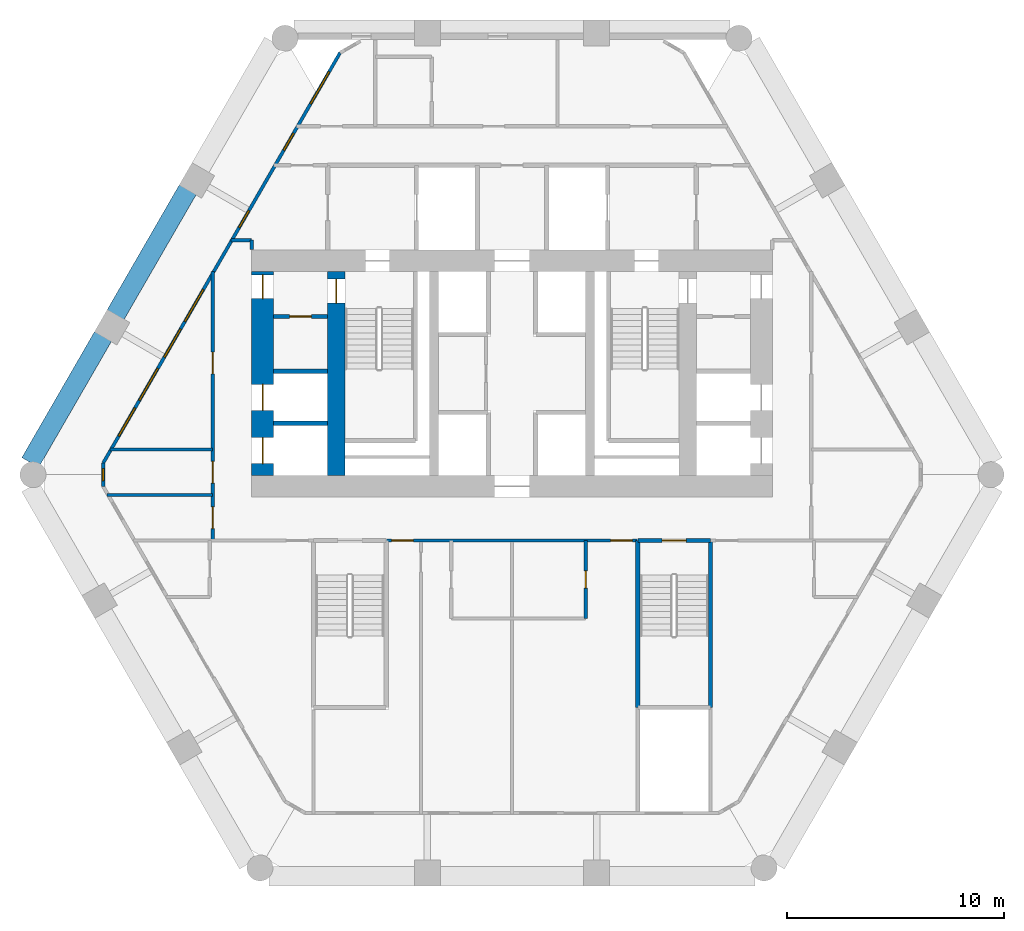
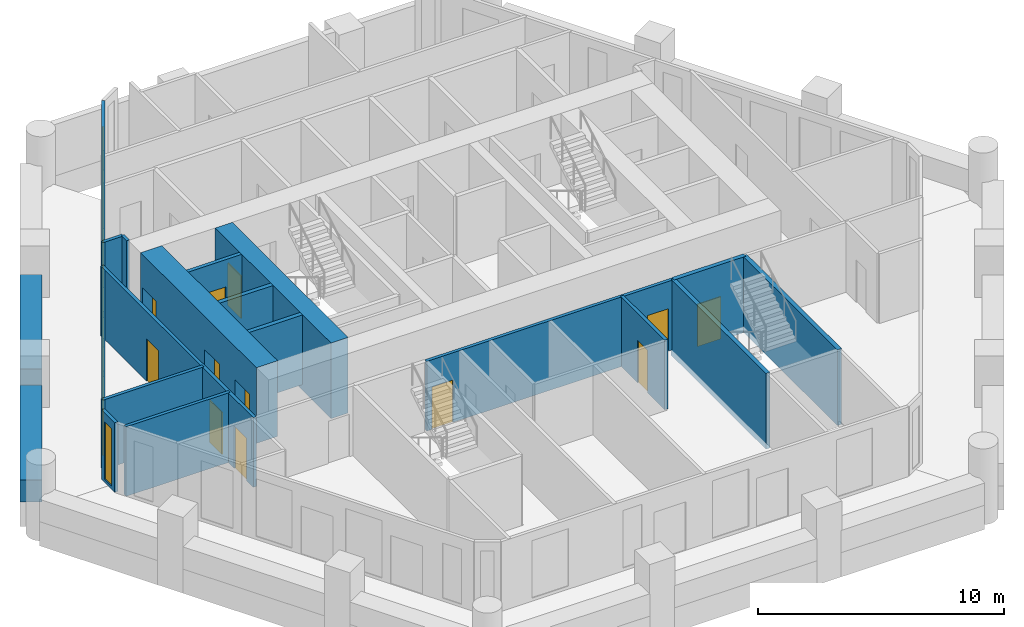
# One storey, part 3 of 7: 19 walls, 12 doors, 8 windows, 20 openings.
"""IFC4 building model written with IfcOpenShell, lengths in metres."""

from ifc_helpers import new_model, si_unit, direction, frame, frame_2d, origin, place, context, subcontext, project, spatial, rectangle, extrude, material, layer, layer_set, type_object, element, fill, save


model = new_model("IFC4")

# Units and contexts
model_context = context("Model", 3, precision=1e-05, world=origin(), true_north=direction((0.0, 1.0)))
body_context = subcontext(model_context, "Body", "Model", "MODEL_VIEW")
ifc_project = project(units=[si_unit("LENGTHUNIT", "METRE"), si_unit("AREAUNIT", "SQUARE_METRE"), si_unit("VOLUMEUNIT", "CUBIC_METRE"), si_unit("PLANEANGLEUNIT", "RADIAN"), si_unit("MASSUNIT", "GRAM", prefix="KILO")], contexts=[model_context])

# Site, building, storey
site_placement = place(None, origin())
site = spatial("IfcSite", under=ifc_project, at=site_placement, CompositionType="ELEMENT")
building_placement = place(site_placement, origin())
building = spatial("IfcBuilding", under=site, at=building_placement, Name="Ostrander Bayou Hotel Tower", CompositionType="ELEMENT")
storey_placement = place(building_placement, frame((0.0, 0.0, 119.75)))
storey = spatial("IfcBuildingStorey", under=building, at=storey_placement, Name="L29", CompositionType="ELEMENT", Elevation=119.75)

# Wall, openings, doors
ifc_material_1 = material(Name="Concrete f'c 70 MPa", Category="concrete")
ifc_layer_1 = layer(ifc_material_1, 1.0)
ifc_layer_set_1 = layer_set([ifc_layer_1], Name="CW4 core wall 1000 mm f'c 70 MPa")
wall_type_1 = type_object("IfcWallType", Name="CW4 core wall 1000 mm f'c 70 MPa", PredefinedType="SHEAR", material=ifc_layer_set_1)
wall_1_placement = place(storey_placement, frame((-11.5, -0.699951171875, -0.300048828125), z_axis=(0.0, 0.0, 1.0), x_axis=(0.0, 1.0, 0.0)))
wall_1 = element("IfcWall", 1, at=wall_1_placement, inside=storey, type_object=wall_type_1, Name="CW4 L29 RW", PredefinedType="SHEAR", context=body_context, shape_type="SweptSolid", body=[
    extrude(rectangle(XDim=9.39990234375, YDim=1.0, at=frame_2d((4.699951171875, 0.0))), origin(), (0.0, 0.0, 1.0), 3.75),
])
opening_1_placement = place(wall_1_placement, frame((8.14990234375, 0.0, 0.0)))
opening_1 = element("IfcOpeningElement", 2, at=opening_1_placement, cuts=wall_1, Name="Opening T28-016", PredefinedType="OPENING", context=body_context, shape_type="SweptSolid", body=[
    extrude(rectangle(XDim=1.10009765625, YDim=2.10009765625, at=frame_2d((0.550048828125, 1.050048828125))), frame((0.0, 0.5, 0.0), z_axis=(0.0, -1.0, 0.0), x_axis=(1.0, 0.0, 0.0)), (0.0, 0.0, 1.0), 1.0),
])
opening_2_placement = place(wall_1_placement, frame((0.550048828125, 0.0, 0.0)))
opening_2 = element("IfcOpeningElement", 3, at=opening_2_placement, cuts=wall_1, Name="Opening T28-017", PredefinedType="OPENING", context=body_context, shape_type="SweptSolid", body=[
    extrude(rectangle(XDim=1.199951171875, YDim=2.10009765625, at=frame_2d((0.60009765625, 1.050048828125))), frame((0.0, 0.5, 0.0), z_axis=(0.0, -1.0, 0.0), x_axis=(1.0, 0.0, 0.0)), (0.0, 0.0, 1.0), 1.0),
])
opening_3_placement = place(wall_1_placement, frame((3.0, 0.0, 0.0)))
opening_3 = element("IfcOpeningElement", 4, at=opening_3_placement, cuts=wall_1, Name="Opening T28-018", PredefinedType="OPENING", context=body_context, shape_type="SweptSolid", body=[
    extrude(rectangle(XDim=1.199951171875, YDim=2.10009765625, at=frame_2d((0.60009765625, 1.050048828125))), frame((0.0, 0.5, 0.0), z_axis=(0.0, -1.0, 0.0), x_axis=(1.0, 0.0, 0.0)), (0.0, 0.0, 1.0), 1.0),
])
ifc_material_2 = material(Name="Timber door leaf", Category="wood")
door_type_1 = type_object("IfcDoorType", Name="D5 stair door 1100 x 2100 mm, 90 minute", OperationType="SINGLE_SWING_LEFT", PredefinedType="DOOR", material=ifc_material_2)
door_1_placement = place(opening_1_placement, origin())
door_1 = element("IfcDoor", 5, at=door_1_placement, inside=storey, type_object=door_type_1, Name="dr:L29:016", OperationType="SINGLE_SWING_LEFT", OverallHeight=2.10009765625, OverallWidth=1.10009765625, PredefinedType="DOOR", context=body_context, shape_type="SweptSolid", body=[
    extrude(rectangle(XDim=1.10009765625, YDim=2.10009765625, at=frame_2d((0.550048828125, 1.050048828125))), frame((0.0, 0.02490234375, 0.0), z_axis=(0.0, -1.0, 0.0), x_axis=(1.0, 0.0, 0.0)), (0.0, 0.0, 1.0), 0.050048828125),
])
fill(opening_1, door_1)
ifc_material_3 = material(Name="Stainless steel sliding door", Category="steel")
door_type_2 = type_object("IfcDoorType", Name="LD1 lift landing door 1200 x 2100 mm", OperationType="SINGLE_SWING_LEFT", PredefinedType="DOOR", material=ifc_material_3)
door_2_placement = place(opening_2_placement, origin())
door_2 = element("IfcDoor", 6, at=door_2_placement, inside=storey, type_object=door_type_2, Name="dr:L29:017", OperationType="SLIDING_TO_LEFT", OverallHeight=2.10009765625, OverallWidth=1.199951171875, PredefinedType="DOOR", context=body_context, shape_type="SweptSolid", body=[
    extrude(rectangle(XDim=1.199951171875, YDim=2.10009765625, at=frame_2d((0.60009765625, 1.050048828125))), frame((0.0, 0.02490234375, 0.0), z_axis=(0.0, -1.0, 0.0), x_axis=(1.0, 0.0, 0.0)), (0.0, 0.0, 1.0), 0.050048828125),
])
fill(opening_2, door_2)
door_3_placement = place(opening_3_placement, origin())
door_3 = element("IfcDoor", 7, at=door_3_placement, inside=storey, type_object=door_type_2, Name="dr:L29:018", OperationType="SLIDING_TO_LEFT", OverallHeight=2.10009765625, OverallWidth=1.199951171875, PredefinedType="DOOR", context=body_context, shape_type="SweptSolid", body=[
    extrude(rectangle(XDim=1.199951171875, YDim=2.10009765625, at=frame_2d((0.60009765625, 1.050048828125))), frame((0.0, 0.02490234375, 0.0), z_axis=(0.0, -1.0, 0.0), x_axis=(1.0, 0.0, 0.0)), (0.0, 0.0, 1.0), 0.050048828125),
])
fill(opening_3, door_3)

# Wall, opening, door
ifc_material_4 = material(Name="Concrete f'c 70 MPa", Category="concrete")
ifc_layer_2 = layer(ifc_material_4, 0.800048828125)
ifc_layer_set_2 = layer_set([ifc_layer_2], Name="CW5 core spine wall 800 mm f'c 70 MPa")
wall_type_2 = type_object("IfcWallType", Name="CW5 core spine wall 800 mm f'c 70 MPa", PredefinedType="SHEAR", material=ifc_layer_set_2)
wall_2_placement = place(storey_placement, frame((-8.10009765625, -0.699951171875, -0.300048828125), z_axis=(0.0, 0.0, 1.0), x_axis=(0.0, 1.0, 0.0)))
wall_2 = element("IfcWall", 8, at=wall_2_placement, inside=storey, type_object=wall_type_2, Name="CW5 L29 W", PredefinedType="SHEAR", context=body_context, shape_type="SweptSolid", body=[
    extrude(rectangle(XDim=9.39990234375, YDim=0.800048828125, at=frame_2d((4.699951171875, 0.0))), origin(), (0.0, 0.0, 1.0), 3.75),
])
opening_4_placement = place(wall_2_placement, frame((7.949951171875, 0.0, 0.0)))
opening_4 = element("IfcOpeningElement", 9, at=opening_4_placement, cuts=wall_2, Name="Opening T28-004", PredefinedType="OPENING", context=body_context, shape_type="SweptSolid", body=[
    extrude(rectangle(XDim=1.10009765625, YDim=2.10009765625, at=frame_2d((0.550048828125, 1.050048828125))), frame((0.0, 0.39990234375, 0.0), z_axis=(0.0, -1.0, 0.0), x_axis=(1.0, 0.0, 0.0)), (0.0, 0.0, 1.0), 0.800048828125),
])
door_4_placement = place(opening_4_placement, origin())
door_4 = element("IfcDoor", 10, at=door_4_placement, inside=storey, type_object=door_type_1, Name="dr:L29:004", OperationType="SINGLE_SWING_RIGHT", OverallHeight=2.10009765625, OverallWidth=1.10009765625, PredefinedType="DOOR", context=body_context, shape_type="SweptSolid", body=[
    extrude(rectangle(XDim=1.10009765625, YDim=2.10009765625, at=frame_2d((0.550048828125, 1.050048828125))), frame((0.0, 0.02490234375, 0.0), z_axis=(0.0, -1.0, 0.0), x_axis=(1.0, 0.0, 0.0)), (0.0, 0.0, 1.0), 0.050048828125),
])
fill(opening_4, door_4)

# Wall, openings, windows
ifc_material_5 = material(Name="Aluminium framed insulated wall", Category="aluminium")
ifc_layer_3 = layer(ifc_material_5, 0.14990234375)
ifc_layer_set_3 = layer_set([ifc_layer_3], Name="GW1 glass-line wall 150 mm")
wall_type_3 = type_object("IfcWallType", Name="GW1 glass-line wall 150 mm", PredefinedType="SOLIDWALL", material=ifc_layer_set_3)
wall_3_placement = place(storey_placement, frame((-7.925048828125, 18.79248046875, 0.0), z_axis=(0.0, 0.0, 1.0), x_axis=(-0.499994842654, -0.866028381359, 0.0)))
wall_3 = element("IfcWall", 11, at=wall_3_placement, inside=storey, type_object=wall_type_3, Name="GW1 L29 NW 1", PredefinedType="SOLIDWALL", context=body_context, shape_type="SweptSolid", body=[
    extrude(rectangle(XDim=21.853271484375, YDim=0.14990234375, at=frame_2d((10.9267578125, 0.0))), origin(), (0.0, 0.0, 1.0), 3.449951171875),
])
opening_5_placement = place(wall_3_placement, frame((4.29345703125, 0.0, 0.14990234375)))
opening_5 = element("IfcOpeningElement", 12, at=opening_5_placement, cuts=wall_3, Name="Opening W16", PredefinedType="OPENING", context=body_context, shape_type="SweptSolid", body=[
    extrude(rectangle(XDim=0.89990234375, YDim=2.85009765625, at=frame_2d((0.449951171875, 1.425048828125))), frame((0.0, 0.074951171875, 0.0), z_axis=(0.0, -1.0, 0.0), x_axis=(1.0, 0.0, 0.0)), (0.0, 0.0, 1.0), 0.14990234375),
])
opening_6_placement = place(wall_3_placement, frame((8.412353515625, 0.0, 0.14990234375)))
opening_6 = element("IfcOpeningElement", 13, at=opening_6_placement, cuts=wall_3, Name="Opening W16", PredefinedType="OPENING", context=body_context, shape_type="SweptSolid", body=[
    extrude(rectangle(XDim=0.89990234375, YDim=2.85009765625, at=frame_2d((0.449951171875, 1.425048828125))), frame((0.0, 0.074951171875, 0.0), z_axis=(0.0, -1.0, 0.0), x_axis=(1.0, 0.0, 0.0)), (0.0, 0.0, 1.0), 0.14990234375),
])
opening_7_placement = place(wall_3_placement, frame((12.6123046875, 0.0, 0.14990234375)))
opening_7 = element("IfcOpeningElement", 14, at=opening_7_placement, cuts=wall_3, Name="Opening W2", PredefinedType="OPENING", context=body_context, shape_type="SweptSolid", body=[
    extrude(rectangle(XDim=1.699951171875, YDim=2.85009765625, at=frame_2d((0.85009765625, 1.425048828125))), frame((0.0, 0.074951171875, 0.0), z_axis=(0.0, -1.0, 0.0), x_axis=(1.0, 0.0, 0.0)), (0.0, 0.0, 1.0), 0.14990234375),
])
opening_8_placement = place(wall_3_placement, frame((14.71240234375, 0.0, 0.14990234375)))
opening_8 = element("IfcOpeningElement", 15, at=opening_8_placement, cuts=wall_3, Name="Opening W12", PredefinedType="OPENING", context=body_context, shape_type="SweptSolid", body=[
    extrude(rectangle(XDim=1.5, YDim=2.85009765625, at=frame_2d((0.75, 1.425048828125))), frame((0.0, 0.074951171875, 0.0), z_axis=(0.0, -1.0, 0.0), x_axis=(1.0, 0.0, 0.0)), (0.0, 0.0, 1.0), 0.14990234375),
])
opening_9_placement = place(wall_3_placement, frame((16.812255859375, 0.0, 0.14990234375)))
opening_9 = element("IfcOpeningElement", 16, at=opening_9_placement, cuts=wall_3, Name="Opening W2", PredefinedType="OPENING", context=body_context, shape_type="SweptSolid", body=[
    extrude(rectangle(XDim=1.699951171875, YDim=2.85009765625, at=frame_2d((0.85009765625, 1.425048828125))), frame((0.0, 0.074951171875, 0.0), z_axis=(0.0, -1.0, 0.0), x_axis=(1.0, 0.0, 0.0)), (0.0, 0.0, 1.0), 0.14990234375),
])
opening_10_placement = place(wall_3_placement, frame((18.912353515625, 0.0, 0.14990234375)))
opening_10 = element("IfcOpeningElement", 17, at=opening_10_placement, cuts=wall_3, Name="Opening W12", PredefinedType="OPENING", context=body_context, shape_type="SweptSolid", body=[
    extrude(rectangle(XDim=1.5, YDim=2.85009765625, at=frame_2d((0.75, 1.425048828125))), frame((0.0, 0.074951171875, 0.0), z_axis=(0.0, -1.0, 0.0), x_axis=(1.0, 0.0, 0.0)), (0.0, 0.0, 1.0), 0.14990234375),
])
opening_11_placement = place(wall_3_placement, frame((1.021728515625, 0.0, 0.14990234375)))
opening_11 = element("IfcOpeningElement", 18, at=opening_11_placement, cuts=wall_3, Name="Opening W2", PredefinedType="OPENING", context=body_context, shape_type="SweptSolid", body=[
    extrude(rectangle(XDim=1.699951171875, YDim=2.72998046875, at=frame_2d((0.85009765625, 1.364990234375))), frame((0.0, 0.074951171875, 0.0), z_axis=(0.0, -1.0, 0.0), x_axis=(1.0, 0.0, 0.0)), (0.0, 0.0, 1.0), 0.14990234375),
])
ifc_material_6 = material(Name="Aluminium and clear glass", Category="aluminium")
window_type_1 = type_object("IfcWindowType", Name="W12 fixed window 1500 mm, bath bay, zone 2", PartitioningType="SINGLE_PANEL", PredefinedType="WINDOW", material=ifc_material_6)
window_1_placement = place(opening_8_placement, origin())
window_1 = element("IfcWindow", 19, at=window_1_placement, inside=storey, type_object=window_type_1, Name="W12 L29 NW 3", OverallHeight=2.85009765625, OverallWidth=1.5, PartitioningType="SINGLE_PANEL", PredefinedType="WINDOW", context=body_context, shape_type="SweptSolid", body=[
    extrude(rectangle(XDim=1.5, YDim=2.85009765625, at=frame_2d((0.75, 1.425048828125))), frame((0.0, 0.030029296875, 0.0), z_axis=(0.0, -1.0, 0.0), x_axis=(1.0, 0.0, 0.0)), (0.0, 0.0, 1.0), 0.06005859375),
])
fill(opening_8, window_1)
window_2_placement = place(opening_10_placement, origin())
window_2 = element("IfcWindow", 20, at=window_2_placement, inside=storey, type_object=window_type_1, Name="W12 L29 NW 4", OverallHeight=2.85009765625, OverallWidth=1.5, PartitioningType="SINGLE_PANEL", PredefinedType="WINDOW", context=body_context, shape_type="SweptSolid", body=[
    extrude(rectangle(XDim=1.5, YDim=2.85009765625, at=frame_2d((0.75, 1.425048828125))), frame((0.0, 0.030029296875, 0.0), z_axis=(0.0, -1.0, 0.0), x_axis=(1.0, 0.0, 0.0)), (0.0, 0.0, 1.0), 0.06005859375),
])
fill(opening_10, window_2)
ifc_material_7 = material(Name="Aluminium and clear glass", Category="aluminium")
window_type_2 = type_object("IfcWindowType", Name="W16 window 900 mm, zone 2", PartitioningType="SINGLE_PANEL", PredefinedType="WINDOW", material=ifc_material_7)
window_3_placement = place(opening_5_placement, origin())
window_3 = element("IfcWindow", 21, at=window_3_placement, inside=storey, type_object=window_type_2, Name="W16 L29 NW 1", OverallHeight=2.85009765625, OverallWidth=0.89990234375, PartitioningType="SINGLE_PANEL", PredefinedType="WINDOW", context=body_context, shape_type="SweptSolid", body=[
    extrude(rectangle(XDim=0.89990234375, YDim=2.85009765625, at=frame_2d((0.449951171875, 1.425048828125))), frame((0.0, 0.030029296875, 0.0), z_axis=(0.0, -1.0, 0.0), x_axis=(1.0, 0.0, 0.0)), (0.0, 0.0, 1.0), 0.06005859375),
])
fill(opening_5, window_3)
window_4_placement = place(opening_6_placement, origin())
window_4 = element("IfcWindow", 22, at=window_4_placement, inside=storey, type_object=window_type_2, Name="W16 L29 NW 2", OverallHeight=2.85009765625, OverallWidth=0.89990234375, PartitioningType="SINGLE_PANEL", PredefinedType="WINDOW", context=body_context, shape_type="SweptSolid", body=[
    extrude(rectangle(XDim=0.89990234375, YDim=2.85009765625, at=frame_2d((0.449951171875, 1.425048828125))), frame((0.0, 0.030029296875, 0.0), z_axis=(0.0, -1.0, 0.0), x_axis=(1.0, 0.0, 0.0)), (0.0, 0.0, 1.0), 0.06005859375),
])
fill(opening_6, window_4)
ifc_material_8 = material(Name="Aluminium and clear glass", Category="aluminium")
window_type_3 = type_object("IfcWindowType", Name="W2 fixed window 1700 mm, zone 2", PartitioningType="SINGLE_PANEL", PredefinedType="WINDOW", material=ifc_material_8)
window_5_placement = place(opening_7_placement, origin())
window_5 = element("IfcWindow", 23, at=window_5_placement, inside=storey, type_object=window_type_3, Name="W2 L29 NW 3", OverallHeight=2.85009765625, OverallWidth=1.699951171875, PartitioningType="SINGLE_PANEL", PredefinedType="WINDOW", context=body_context, shape_type="SweptSolid", body=[
    extrude(rectangle(XDim=1.699951171875, YDim=2.85009765625, at=frame_2d((0.85009765625, 1.425048828125))), frame((0.0, 0.030029296875, 0.0), z_axis=(0.0, -1.0, 0.0), x_axis=(1.0, 0.0, 0.0)), (0.0, 0.0, 1.0), 0.06005859375),
])
fill(opening_7, window_5)
window_6_placement = place(opening_9_placement, origin())
window_6 = element("IfcWindow", 24, at=window_6_placement, inside=storey, type_object=window_type_3, Name="W2 L29 NW 4", OverallHeight=2.85009765625, OverallWidth=1.699951171875, PartitioningType="SINGLE_PANEL", PredefinedType="WINDOW", context=body_context, shape_type="SweptSolid", body=[
    extrude(rectangle(XDim=1.699951171875, YDim=2.85009765625, at=frame_2d((0.85009765625, 1.425048828125))), frame((0.0, 0.030029296875, 0.0), z_axis=(0.0, -1.0, 0.0), x_axis=(1.0, 0.0, 0.0)), (0.0, 0.0, 1.0), 0.06005859375),
])
fill(opening_9, window_6)
window_7_placement = place(opening_11_placement, origin())
window_7 = element("IfcWindow", 25, at=window_7_placement, inside=storey, type_object=window_type_3, Name="W2 L29 NW E11", OverallHeight=2.72998046875, OverallWidth=1.699951171875, PartitioningType="SINGLE_PANEL", PredefinedType="WINDOW", context=body_context, shape_type="SweptSolid", body=[
    extrude(rectangle(XDim=1.699951171875, YDim=2.72998046875, at=frame_2d((0.85009765625, 1.364990234375))), frame((0.0, 0.030029296875, 0.0), z_axis=(0.0, -1.0, 0.0), x_axis=(1.0, 0.0, 0.0)), (0.0, 0.0, 1.0), 0.06005859375),
])
fill(opening_11, window_7)

# Wall, opening, window
wall_4_placement = place(storey_placement, frame((-18.8515625, -0.133056640625, 0.0), z_axis=(0.0, 0.0, 1.0), x_axis=(0.0, -1.0, 0.0)))
wall_4 = element("IfcWall", 26, at=wall_4_placement, inside=storey, type_object=wall_type_3, Name="GW1 L29 corner 2", PredefinedType="SOLIDWALL", context=body_context, shape_type="SweptSolid", body=[
    extrude(rectangle(XDim=1.06494140625, YDim=0.14990234375, at=frame_2d((0.532470703125, 0.0))), origin(), (0.0, 0.0, 1.0), 3.449951171875),
])
opening_12_placement = place(wall_4_placement, frame((0.257568359375, 0.0, 0.14990234375)))
opening_12 = element("IfcOpeningElement", 27, at=opening_12_placement, cuts=wall_4, Name="Opening W19", PredefinedType="OPENING", context=body_context, shape_type="SweptSolid", body=[
    extrude(rectangle(XDim=0.550048828125, YDim=2.85009765625, at=frame_2d((0.27490234375, 1.425048828125))), frame((0.0, 0.074951171875, 0.0), z_axis=(0.0, -1.0, 0.0), x_axis=(1.0, 0.0, 0.0)), (0.0, 0.0, 1.0), 0.14990234375),
])
ifc_material_9 = material(Name="Aluminium and clear glass", Category="aluminium")
window_type_4 = type_object("IfcWindowType", Name="W19 corner window 550 mm", PartitioningType="SINGLE_PANEL", PredefinedType="WINDOW", material=ifc_material_9)
window_8_placement = place(opening_12_placement, origin())
window_8 = element("IfcWindow", 28, at=window_8_placement, inside=storey, type_object=window_type_4, Name="W19 L29 corner 2", OverallHeight=2.85009765625, OverallWidth=0.550048828125, PartitioningType="SINGLE_PANEL", PredefinedType="WINDOW", context=body_context, shape_type="SweptSolid", body=[
    extrude(rectangle(XDim=0.550048828125, YDim=2.85009765625, at=frame_2d((0.27490234375, 1.425048828125))), frame((0.0, 0.030029296875, 0.0), z_axis=(0.0, -1.0, 0.0), x_axis=(1.0, 0.0, 0.0)), (0.0, 0.0, 1.0), 0.06005859375),
])
fill(opening_12, window_8)

# Walls
ifc_material_10 = material(Name="Concrete f'c 40 MPa", Category="concrete")
ifc_layer_4 = layer(ifc_material_10, 0.89990234375)
ifc_layer_set_4 = layer_set([ifc_layer_4], Name="PA1 stone-faced parapet 900 mm")
wall_type_4 = type_object("IfcWallType", Name="PA1 stone-faced parapet 900 mm", PredefinedType="PARAPET", material=ifc_layer_set_4)
wall_5_placement = place(storey_placement, frame((-14.94580078125, 12.48193359375, 0.0), z_axis=(0.0, 0.0, 1.0), x_axis=(-0.50001062018, -0.866019272134, 0.0)))
element("IfcWall", 29, at=wall_5_placement, inside=storey, type_object=wall_type_4, Name="PA1 L29 NW-2", PredefinedType="PARAPET", context=body_context, shape_type="SweptSolid", body=[
    extrude(rectangle(XDim=6.673583984375, YDim=0.89990234375, at=frame_2d((3.3369140625, 0.0))), origin(), (0.0, 0.0, 1.0), 1.10009765625),
])
wall_6_placement = place(storey_placement, frame((-18.8525390625, 5.71533203125, 0.0), z_axis=(0.0, 0.0, 1.0), x_axis=(-0.500012951941, -0.866017925849, 0.0)))
element("IfcWall", 30, at=wall_6_placement, inside=storey, type_object=wall_type_4, Name="PA1 L29 NW-3", PredefinedType="PARAPET", context=body_context, shape_type="SweptSolid", body=[
    extrude(rectangle(XDim=6.717041015625, YDim=0.89990234375, at=frame_2d((3.3583984375, 0.0))), origin(), (0.0, 0.0, 1.0), 1.10009765625),
])

# Wall, opening, door
ifc_material_11 = material(Name="Gypsum board partition", Category="finish")
ifc_layer_5 = layer(ifc_material_11, 0.175048828125)
ifc_layer_set_5 = layer_set([ifc_layer_5], Name="PT4 corridor wall 175 mm, 1 hour")
wall_type_5 = type_object("IfcWallType", Name="PT4 corridor wall 175 mm, 1 hour", PredefinedType="PARTITIONING", material=ifc_layer_set_5)
wall_7_placement = place(storey_placement, frame((-11.0, 6.6298828125, 0.0), z_axis=(0.0, 0.0, 1.0), x_axis=(1.0, 0.0, 0.0)))
wall_7 = element("IfcWall", 31, at=wall_7_placement, inside=storey, type_object=wall_type_5, Name="cs:L29:035", PredefinedType="PARTITIONING", context=body_context, shape_type="SweptSolid", body=[
    extrude(rectangle(XDim=2.5, YDim=0.175048828125, at=frame_2d((1.25, 0.0))), origin(), (0.0, 0.0, 1.0), 3.449951171875),
])
opening_13_placement = place(wall_7_placement, frame((0.75, 0.0, 0.0)))
opening_13 = element("IfcOpeningElement", 32, at=opening_13_placement, cuts=wall_7, Name="Opening T28-015", PredefinedType="OPENING", context=body_context, shape_type="SweptSolid", body=[
    extrude(rectangle(XDim=1.0, YDim=2.10009765625, at=frame_2d((0.5, 1.050048828125))), frame((0.0, 0.08740234375, 0.0), z_axis=(0.0, -1.0, 0.0), x_axis=(1.0, 0.0, 0.0)), (0.0, 0.0, 1.0), 0.175048828125),
])
ifc_material_12 = material(Name="Timber door leaf", Category="wood")
door_type_3 = type_object("IfcDoorType", Name="D4 corridor door 1000 x 2100 mm, 1 hour", OperationType="SINGLE_SWING_LEFT", PredefinedType="DOOR", material=ifc_material_12)
door_5_placement = place(opening_13_placement, origin())
door_5 = element("IfcDoor", 33, at=door_5_placement, inside=storey, type_object=door_type_3, Name="dr:L29:015", OperationType="SINGLE_SWING_LEFT", OverallHeight=2.10009765625, OverallWidth=1.0, PredefinedType="DOOR", context=body_context, shape_type="SweptSolid", body=[
    extrude(rectangle(XDim=1.0, YDim=2.10009765625, at=frame_2d((0.5, 1.050048828125))), frame((0.0, 0.02490234375, 0.0), z_axis=(0.0, -1.0, 0.0), x_axis=(1.0, 0.0, 0.0)), (0.0, 0.0, 1.0), 0.050048828125),
])
fill(opening_13, door_5)

# Walls
ifc_material_13 = material(Name="Masonry block", Category="masonry")
ifc_layer_6 = layer(ifc_material_13, 0.199951171875)
ifc_layer_set_6 = layer_set([ifc_layer_6], Name="PT6 lift shaft wall 200 mm masonry, 2 hour")
wall_type_6 = type_object("IfcWallType", Name="PT6 lift shaft wall 200 mm masonry, 2 hour", PredefinedType="PARTITIONING", material=ifc_layer_set_6)
for number, where, z_axis, x_axis, name in (
    (34, (-11.0, 1.699951171875, 0.0), (0.0, 0.0, 1.0), (1.0, 0.0, 0.0), "cs:L29:033"),
    (35, (-11.0, 4.10009765625, 0.0), (0.0, 0.0, 1.0), (1.0, 0.0, 0.0), "cs:L29:034"),
):
    element("IfcWall", number, at=place(storey_placement, frame(where, z_axis=z_axis, x_axis=x_axis)), inside=storey, type_object=wall_type_6, Name=name, PredefinedType="PARTITIONING", context=body_context, shape_type="SweptSolid", body=[
        extrude(rectangle(XDim=2.5, YDim=0.199951171875, at=frame_2d((1.25, 0.0))), origin(), (0.0, 0.0, 1.0), 3.449951171875),
    ])

# Wall, openings, doors
ifc_material_14 = material(Name="Gypsum board partition", Category="finish")
ifc_layer_7 = layer(ifc_material_14, 0.14990234375)
ifc_layer_set_7 = layer_set([ifc_layer_7], Name="PT8 service band wall 150 mm, 1 hour")
wall_type_7 = type_object("IfcWallType", Name="PT8 service band wall 150 mm, 1 hour", PredefinedType="PARTITIONING", material=ifc_layer_set_7)
wall_8_placement = place(storey_placement, frame((-5.7900390625, -3.699951171875, 0.0), z_axis=(0.0, 0.0, 1.0), x_axis=(1.0, 0.0, 0.0)))
wall_8 = element("IfcWall", 36, at=wall_8_placement, inside=storey, type_object=wall_type_7, Name="gw:L29:005", PredefinedType="PARTITIONING", context=body_context, shape_type="SweptSolid", body=[
    extrude(rectangle(XDim=11.580078125, YDim=0.14990234375, at=frame_2d((5.7900390625, 0.0))), origin(), (0.0, 0.0, 1.0), 3.449951171875),
])
opening_14_placement = place(wall_8_placement, frame((0.239990234375, 0.0, 0.0)))
opening_14 = element("IfcOpeningElement", 37, at=opening_14_placement, cuts=wall_8, Name="Opening T28-400", PredefinedType="OPENING", context=body_context, shape_type="SweptSolid", body=[
    extrude(rectangle(XDim=1.0, YDim=2.10009765625, at=frame_2d((0.5, 1.050048828125))), frame((0.0, 0.074951171875, 0.0), z_axis=(0.0, -1.0, 0.0), x_axis=(1.0, 0.0, 0.0)), (0.0, 0.0, 1.0), 0.14990234375),
])
opening_15_placement = place(wall_8_placement, frame((10.340087890625, 0.0, 0.0)))
opening_15 = element("IfcOpeningElement", 38, at=opening_15_placement, cuts=wall_8, Name="Opening T28-405", PredefinedType="OPENING", context=body_context, shape_type="SweptSolid", body=[
    extrude(rectangle(XDim=1.0, YDim=2.10009765625, at=frame_2d((0.5, 1.050048828125))), frame((0.0, 0.074951171875, 0.0), z_axis=(0.0, -1.0, 0.0), x_axis=(1.0, 0.0, 0.0)), (0.0, 0.0, 1.0), 0.14990234375),
])
ifc_material_15 = material(Name="Timber door leaf", Category="wood")
door_type_4 = type_object("IfcDoorType", Name="D1 guest room door 1000 x 2100 mm, 30 minute", OperationType="SINGLE_SWING_LEFT", PredefinedType="DOOR", material=ifc_material_15)
door_6_placement = place(opening_14_placement, origin())
door_6 = element("IfcDoor", 39, at=door_6_placement, inside=storey, type_object=door_type_4, Name="dr:L29:400", OperationType="SINGLE_SWING_LEFT", OverallHeight=2.10009765625, OverallWidth=1.0, PredefinedType="DOOR", context=body_context, shape_type="SweptSolid", body=[
    extrude(rectangle(XDim=1.0, YDim=2.10009765625, at=frame_2d((0.5, 1.050048828125))), frame((0.0, 0.02490234375, 0.0), z_axis=(0.0, -1.0, 0.0), x_axis=(1.0, 0.0, 0.0)), (0.0, 0.0, 1.0), 0.050048828125),
])
fill(opening_14, door_6)
door_7_placement = place(opening_15_placement, origin())
door_7 = element("IfcDoor", 40, at=door_7_placement, inside=storey, type_object=door_type_4, Name="dr:L29:405", OperationType="SINGLE_SWING_RIGHT", OverallHeight=2.10009765625, OverallWidth=1.0, PredefinedType="DOOR", context=body_context, shape_type="SweptSolid", body=[
    extrude(rectangle(XDim=1.0, YDim=2.10009765625, at=frame_2d((0.5, 1.050048828125))), frame((0.0, 0.02490234375, 0.0), z_axis=(0.0, -1.0, 0.0), x_axis=(1.0, 0.0, 0.0)), (0.0, 0.0, 1.0), 0.050048828125),
])
fill(opening_15, door_7)

# Walls
wall_9_placement = place(storey_placement, frame((-18.672119140625, -1.60009765625, 0.0), z_axis=(0.0, 0.0, 1.0), x_axis=(1.0, 0.0, 0.0)))
element("IfcWall", 41, at=wall_9_placement, inside=storey, type_object=wall_type_7, Name="gw:L29:007", PredefinedType="PARTITIONING", context=body_context, shape_type="SweptSolid", body=[
    extrude(rectangle(XDim=4.8720703125, YDim=0.14990234375, at=frame_2d((2.43603515625, 0.0))), origin(), (0.0, 0.0, 1.0), 3.449951171875),
])
wall_10_placement = place(storey_placement, frame((-18.5380859375, 0.5, 0.0), z_axis=(0.0, 0.0, 1.0), x_axis=(1.0, 0.0, 0.0)))
element("IfcWall", 42, at=wall_10_placement, inside=storey, type_object=wall_type_7, Name="gw:L29:008", PredefinedType="PARTITIONING", context=body_context, shape_type="SweptSolid", body=[
    extrude(rectangle(XDim=4.738037109375, YDim=0.14990234375, at=frame_2d((2.369140625, 0.0))), origin(), (0.0, 0.0, 1.0), 3.449951171875),
])
wall_11_placement = place(storey_placement, frame((-12.967041015625, 10.14990234375, 0.0), z_axis=(0.0, 0.0, 1.0), x_axis=(1.0, 0.0, 0.0)))
element("IfcWall", 43, at=wall_11_placement, inside=storey, type_object=wall_type_7, Name="gw:L29:010", PredefinedType="PARTITIONING", context=body_context, shape_type="SweptSolid", body=[
    extrude(rectangle(XDim=0.967041015625, YDim=0.14990234375, at=frame_2d((0.4833984375, 0.0))), origin(), (0.0, 0.0, 1.0), 3.449951171875),
])

# Wall, opening, door
wall_12_placement = place(storey_placement, frame((3.39990234375, -7.300048828125, 0.0), z_axis=(0.0, 0.0, 1.0), x_axis=(0.0, 1.0, 0.0)))
wall_12 = element("IfcWall", 44, at=wall_12_placement, inside=storey, type_object=wall_type_7, Name="gw:L29:021", PredefinedType="PARTITIONING", context=body_context, shape_type="SweptSolid", body=[
    extrude(rectangle(XDim=3.60009765625, YDim=0.14990234375, at=frame_2d((1.800048828125, 0.0))), origin(), (0.0, 0.0, 1.0), 3.449951171875),
])
opening_16_placement = place(wall_12_placement, frame((1.39990234375, 0.0, 0.0)))
opening_16 = element("IfcOpeningElement", 45, at=opening_16_placement, cuts=wall_12, Name="Opening T28-406", PredefinedType="OPENING", context=body_context, shape_type="SweptSolid", body=[
    extrude(rectangle(XDim=0.800048828125, YDim=2.10009765625, at=frame_2d((0.39990234375, 1.050048828125))), frame((0.0, 0.074951171875, 0.0), z_axis=(0.0, -1.0, 0.0), x_axis=(1.0, 0.0, 0.0)), (0.0, 0.0, 1.0), 0.14990234375),
])
ifc_material_16 = material(Name="Timber door leaf", Category="wood")
door_type_5 = type_object("IfcDoorType", Name="D2 bathroom door 800 x 2100 mm", OperationType="SINGLE_SWING_LEFT", PredefinedType="DOOR", material=ifc_material_16)
door_8_placement = place(opening_16_placement, origin())
door_8 = element("IfcDoor", 46, at=door_8_placement, inside=storey, type_object=door_type_5, Name="dr:L29:406", OperationType="SINGLE_SWING_RIGHT", OverallHeight=2.10009765625, OverallWidth=0.800048828125, PredefinedType="DOOR", context=body_context, shape_type="SweptSolid", body=[
    extrude(rectangle(XDim=0.800048828125, YDim=2.10009765625, at=frame_2d((0.39990234375, 1.050048828125))), frame((0.0, 0.02490234375, 0.0), z_axis=(0.0, -1.0, 0.0), x_axis=(1.0, 0.0, 0.0)), (0.0, 0.0, 1.0), 0.050048828125),
])
fill(opening_16, door_8)

# Wall
wall_13_placement = place(storey_placement, frame((-12.0, 9.7099609375, 0.0), z_axis=(0.0, 0.0, 1.0), x_axis=(0.0, 1.0, 0.0)))
element("IfcWall", 47, at=wall_13_placement, inside=storey, type_object=wall_type_7, Name="gw:L29:029", PredefinedType="PARTITIONING", context=body_context, shape_type="SweptSolid", body=[
    extrude(rectangle(XDim=0.43994140625, YDim=0.14990234375, at=frame_2d((0.219970703125, 0.0))), origin(), (0.0, 0.0, 1.0), 3.449951171875),
])

# Wall, openings, doors
wall_14_placement = place(storey_placement, frame((-13.800048828125, -3.699951171875, 0.0), z_axis=(0.0, 0.0, 1.0), x_axis=(0.0, 1.0, 0.0)))
wall_14 = element("IfcWall", 48, at=wall_14_placement, inside=storey, type_object=wall_type_7, Name="gw:L29:030", PredefinedType="PARTITIONING", context=body_context, shape_type="SweptSolid", body=[
    extrude(rectangle(XDim=12.406982421875, YDim=0.14990234375, at=frame_2d((6.20361328125, 0.0))), origin(), (0.0, 0.0, 1.0), 3.449951171875),
])
opening_17_placement = place(wall_14_placement, frame((0.550048828125, 0.0, 0.0)))
opening_17 = element("IfcOpeningElement", 49, at=opening_17_placement, cuts=wall_14, Name="Opening T28-409", PredefinedType="OPENING", context=body_context, shape_type="SweptSolid", body=[
    extrude(rectangle(XDim=1.0, YDim=2.10009765625, at=frame_2d((0.5, 1.050048828125))), frame((0.0, 0.074951171875, 0.0), z_axis=(0.0, -1.0, 0.0), x_axis=(1.0, 0.0, 0.0)), (0.0, 0.0, 1.0), 0.14990234375),
])
opening_18_placement = place(wall_14_placement, frame((2.64990234375, 0.0, 0.0)))
opening_18 = element("IfcOpeningElement", 50, at=opening_18_placement, cuts=wall_14, Name="Opening T28-410", PredefinedType="OPENING", context=body_context, shape_type="SweptSolid", body=[
    extrude(rectangle(XDim=1.0, YDim=2.10009765625, at=frame_2d((0.5, 1.050048828125))), frame((0.0, 0.074951171875, 0.0), z_axis=(0.0, -1.0, 0.0), x_axis=(1.0, 0.0, 0.0)), (0.0, 0.0, 1.0), 0.14990234375),
])
opening_19_placement = place(wall_14_placement, frame((7.68310546875, 0.0, 0.0)))
opening_19 = element("IfcOpeningElement", 51, at=opening_19_placement, cuts=wall_14, Name="Opening T28-411", PredefinedType="OPENING", context=body_context, shape_type="SweptSolid", body=[
    extrude(rectangle(XDim=1.0, YDim=2.10009765625, at=frame_2d((0.5, 1.050048828125))), frame((0.0, 0.074951171875, 0.0), z_axis=(0.0, -1.0, 0.0), x_axis=(1.0, 0.0, 0.0)), (0.0, 0.0, 1.0), 0.14990234375),
])
ifc_material_17 = material(Name="Timber door leaf", Category="wood")
door_type_6 = type_object("IfcDoorType", Name="D9 service door 1000 x 2100 mm, 30 minute", OperationType="SINGLE_SWING_LEFT", PredefinedType="DOOR", material=ifc_material_17)
door_9_placement = place(opening_17_placement, origin())
door_9 = element("IfcDoor", 52, at=door_9_placement, inside=storey, type_object=door_type_6, Name="dr:L29:409", OperationType="SINGLE_SWING_LEFT", OverallHeight=2.10009765625, OverallWidth=1.0, PredefinedType="DOOR", context=body_context, shape_type="SweptSolid", body=[
    extrude(rectangle(XDim=1.0, YDim=2.10009765625, at=frame_2d((0.5, 1.050048828125))), frame((0.0, 0.02490234375, 0.0), z_axis=(0.0, -1.0, 0.0), x_axis=(1.0, 0.0, 0.0)), (0.0, 0.0, 1.0), 0.050048828125),
])
fill(opening_17, door_9)
door_10_placement = place(opening_18_placement, origin())
door_10 = element("IfcDoor", 53, at=door_10_placement, inside=storey, type_object=door_type_6, Name="dr:L29:410", OperationType="SINGLE_SWING_LEFT", OverallHeight=2.10009765625, OverallWidth=1.0, PredefinedType="DOOR", context=body_context, shape_type="SweptSolid", body=[
    extrude(rectangle(XDim=1.0, YDim=2.10009765625, at=frame_2d((0.5, 1.050048828125))), frame((0.0, 0.02490234375, 0.0), z_axis=(0.0, -1.0, 0.0), x_axis=(1.0, 0.0, 0.0)), (0.0, 0.0, 1.0), 0.050048828125),
])
fill(opening_18, door_10)
door_11_placement = place(opening_19_placement, origin())
door_11 = element("IfcDoor", 54, at=door_11_placement, inside=storey, type_object=door_type_6, Name="dr:L29:411", OperationType="SINGLE_SWING_LEFT", OverallHeight=2.10009765625, OverallWidth=1.0, PredefinedType="DOOR", context=body_context, shape_type="SweptSolid", body=[
    extrude(rectangle(XDim=1.0, YDim=2.10009765625, at=frame_2d((0.5, 1.050048828125))), frame((0.0, 0.02490234375, 0.0), z_axis=(0.0, -1.0, 0.0), x_axis=(1.0, 0.0, 0.0)), (0.0, 0.0, 1.0), 0.050048828125),
])
fill(opening_19, door_11)

# Wall, opening, door
ifc_material_18 = material(Name="Concrete f'c 45 MPa", Category="concrete")
ifc_layer_8 = layer(ifc_material_18, 0.199951171875)
ifc_layer_set_8 = layer_set([ifc_layer_8], Name="SW5 stair enclosure wall 200 mm f'c 45 MPa")
wall_type_8 = type_object("IfcWallType", Name="SW5 stair enclosure wall 200 mm f'c 45 MPa", PredefinedType="SOLIDWALL", material=ifc_layer_set_8)
wall_15_placement = place(storey_placement, frame((5.800048828125, -3.699951171875, -0.300048828125), z_axis=(0.0, 0.0, 1.0), x_axis=(1.0, 0.0, 0.0)))
wall_15 = element("IfcWall", 55, at=wall_15_placement, inside=storey, type_object=wall_type_8, Name="cs:L29:015", PredefinedType="SOLIDWALL", context=body_context, shape_type="SweptSolid", body=[
    extrude(rectangle(XDim=3.349853515625, YDim=0.199951171875, at=frame_2d((1.6748046875, 0.0))), origin(), (0.0, 0.0, 1.0), 3.75),
])
opening_20_placement = place(wall_15_placement, frame((1.125, 0.0, 0.0)))
opening_20 = element("IfcOpeningElement", 56, at=opening_20_placement, cuts=wall_15, Name="Opening T28-007", PredefinedType="OPENING", context=body_context, shape_type="SweptSolid", body=[
    extrude(rectangle(XDim=1.10009765625, YDim=2.10009765625, at=frame_2d((0.550048828125, 1.050048828125))), frame((0.0, 0.10009765625, 0.0), z_axis=(0.0, -1.0, 0.0), x_axis=(1.0, 0.0, 0.0)), (0.0, 0.0, 1.0), 0.199951171875),
])
door_12_placement = place(opening_20_placement, origin())
door_12 = element("IfcDoor", 57, at=door_12_placement, inside=storey, type_object=door_type_1, Name="dr:L29:007", OperationType="SINGLE_SWING_LEFT", OverallHeight=2.10009765625, OverallWidth=1.10009765625, PredefinedType="DOOR", context=body_context, shape_type="SweptSolid", body=[
    extrude(rectangle(XDim=1.10009765625, YDim=2.10009765625, at=frame_2d((0.550048828125, 1.050048828125))), frame((0.0, 0.02490234375, 0.0), z_axis=(0.0, -1.0, 0.0), x_axis=(1.0, 0.0, 0.0)), (0.0, 0.0, 1.0), 0.050048828125),
])
fill(opening_20, door_12)

# Walls
for number, where, z_axis, x_axis, name in (
    (58, (5.800048828125, -3.699951171875, -0.300048828125), (0.0, 0.0, 1.0), (0.0, -1.0, 0.0), "cs:L29:016"),
    (59, (9.14990234375, -3.699951171875, -0.300048828125), (0.0, 0.0, 1.0), (0.0, -1.0, 0.0), "cs:L29:017"),
):
    element("IfcWall", number, at=place(storey_placement, frame(where, z_axis=z_axis, x_axis=x_axis)), inside=storey, type_object=wall_type_8, Name=name, PredefinedType="SOLIDWALL", context=body_context, shape_type="SweptSolid", body=[
        extrude(rectangle(XDim=7.699951171875, YDim=0.199951171875, at=frame_2d((3.85009765625, 0.0))), origin(), (0.0, 0.0, 1.0), 3.75),
    ])

save(model, "model.ifc")
